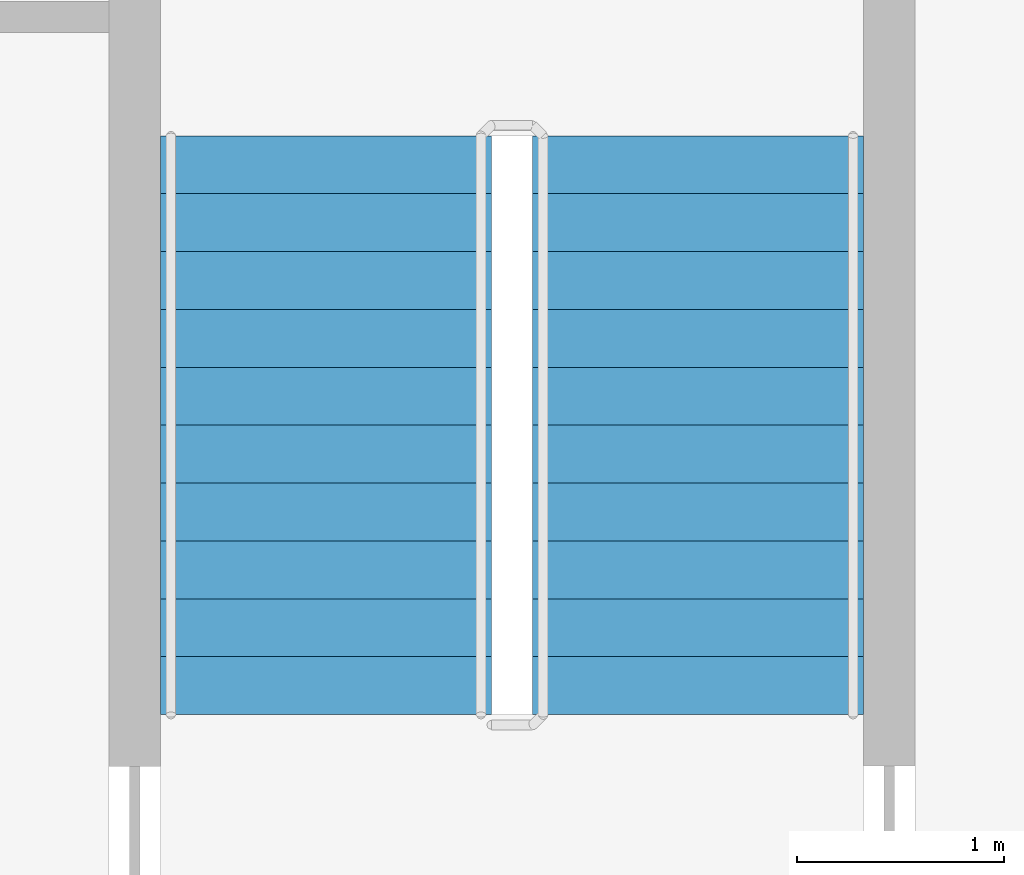
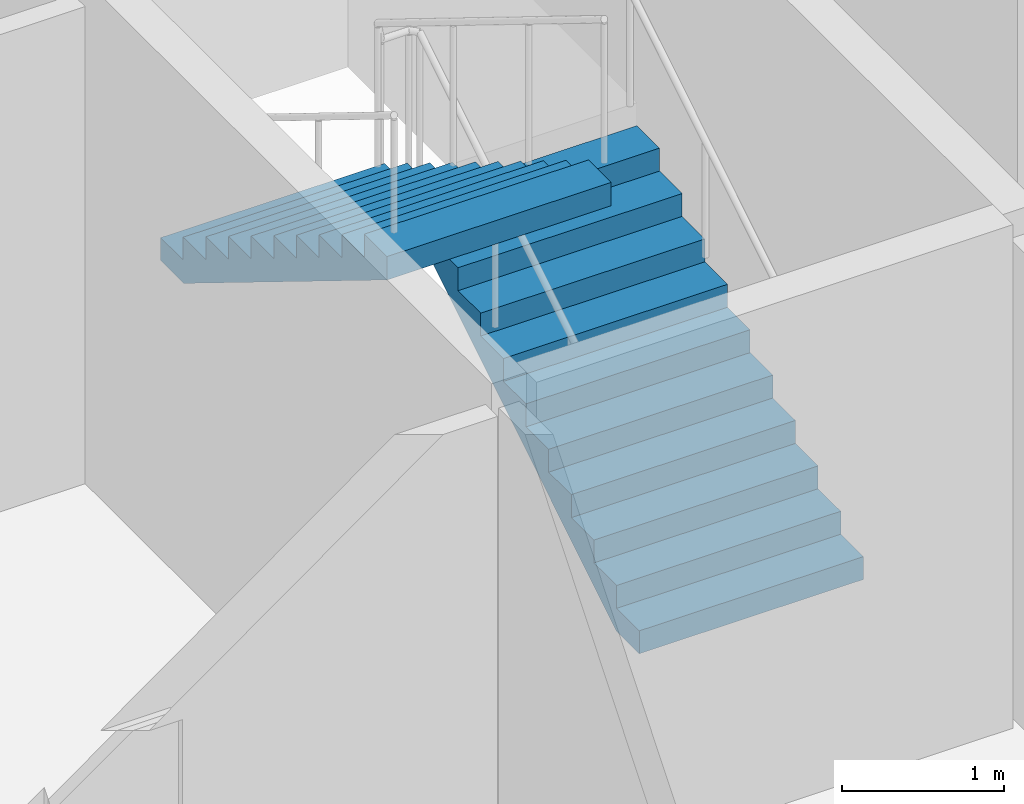
# One storey, part 11 of 12: 2 stair flights, 1 element without a shape of its own.
"""IFC4 building model written with IfcOpenShell, lengths in metres."""

from ifc_helpers import new_model, si_unit, direction, frame, origin, place, context, subcontext, project, spatial, polyline, outline, extrude, material, type_object, element, aggregate, save


model = new_model("IFC4")

# Units and contexts
model_context = context("Model", 3, precision=1e-05, world=origin(), true_north=direction((0.0, 1.0)))
body_context = subcontext(model_context, "Body", "Model", "MODEL_VIEW")
ifc_project = project(units=[si_unit("LENGTHUNIT", "METRE"), si_unit("AREAUNIT", "SQUARE_METRE"), si_unit("VOLUMEUNIT", "CUBIC_METRE"), si_unit("PLANEANGLEUNIT", "RADIAN"), si_unit("MASSUNIT", "GRAM", prefix="KILO")], contexts=[model_context])

# Site, building, storey
site_placement = place(None, origin())
site = spatial("IfcSite", under=ifc_project, at=site_placement, CompositionType="ELEMENT")
building_placement = place(site_placement, origin())
building = spatial("IfcBuilding", under=site, at=building_placement, Name="Tessera Gate Towers", CompositionType="ELEMENT")
storey_placement = place(building_placement, frame((0.0, 0.0, 143.0)))
storey = spatial("IfcBuildingStorey", under=building, at=storey_placement, Name="L35", CompositionType="ELEMENT", Elevation=143.0)

# Stair, stair flights
ifc_material_1 = material(Name="Concrete C40/50", Category="concrete")
stair_type = type_object("IfcStairType", Name="EXIT STAIR ST2 1600", PredefinedType="HALF_TURN_STAIR", material=ifc_material_1)
stair_placement = place(storey_placement, origin())
stair = element("IfcStair", 1, at=stair_placement, inside=storey, type_object=stair_type, Name="L35 Protected Exit Stair ST2", PredefinedType="HALF_TURN_STAIR")
ifc_material_2 = material(Name="Concrete C40/50", Category="concrete")
stair_flight_type = type_object("IfcStairFlightType", Name="EXIT STAIR FLIGHT ST2 1600", PredefinedType="STRAIGHT", material=ifc_material_2)
stair_flight_1_placement = place(storey_placement, frame((51.074951171875, 41.52490234375, 0.0), z_axis=(0.0, 0.0, 1.0), x_axis=(0.0, 1.0, 0.0)))
stair_flight_1 = element("IfcStairFlight", 2, at=stair_flight_1_placement, type_object=stair_flight_type, Name="ST2 flight 1", NumberOfRisers=11, NumberOfTreads=10, PredefinedType="STRAIGHT", RiserHeight=0.172727273, TreadLength=0.28, context=body_context, shape_type="SweptSolid", body=[
    extrude(outline(polyline([(0.0, 0.0), (0.0, 0.172607421875), (0.280029296875, 0.172607421875), (0.280029296875, 0.345458984375), (0.56005859375, 0.345458984375), (0.56005859375, 0.51806640625), (0.840087890625, 0.51806640625), (0.840087890625, 0.69091796875), (1.1201171875, 0.69091796875), (1.1201171875, 0.863525390625), (1.39990234375, 0.863525390625), (1.39990234375, 1.036376953125), (1.679931640625, 1.036376953125), (1.679931640625, 1.208984375), (1.9599609375, 1.208984375), (1.9599609375, 1.3818359375), (2.239990234375, 1.3818359375), (2.239990234375, 1.554443359375), (2.52001953125, 1.554443359375), (2.52001953125, 1.727294921875), (2.800048828125, 1.727294921875), (2.800048828125, 1.89990234375), (2.800048828125, 1.551025390625), (0.285400390625, 0.0), (0.0, 0.0)])), frame((0.0, 0.800048828125, 0.0), z_axis=(0.0, -1.0, 0.0), x_axis=(1.0, 0.0, 0.0)), (0.0, 0.0, 1.0), 1.60009765625),
])
stair_flight_2_placement = place(storey_placement, frame((49.27490234375, 44.324951171875, 1.89990234375), z_axis=(0.0, 0.0, 1.0), x_axis=(0.0, -1.0, 0.0)))
stair_flight_2 = element("IfcStairFlight", 3, at=stair_flight_2_placement, type_object=stair_flight_type, Name="ST2 flight 2", NumberOfRisers=11, NumberOfTreads=10, PredefinedType="STRAIGHT", RiserHeight=0.172727273, TreadLength=0.28, context=body_context, shape_type="SweptSolid", body=[
    extrude(outline(polyline([(0.0, 0.0), (0.0, 0.172607421875), (0.280029296875, 0.172607421875), (0.280029296875, 0.345458984375), (0.56005859375, 0.345458984375), (0.56005859375, 0.51806640625), (0.840087890625, 0.51806640625), (0.840087890625, 0.69091796875), (1.1201171875, 0.69091796875), (1.1201171875, 0.863525390625), (1.39990234375, 0.863525390625), (1.39990234375, 1.036376953125), (1.679931640625, 1.036376953125), (1.679931640625, 1.208984375), (1.9599609375, 1.208984375), (1.9599609375, 1.3818359375), (2.239990234375, 1.3818359375), (2.239990234375, 1.554443359375), (2.52001953125, 1.554443359375), (2.52001953125, 1.727294921875), (2.800048828125, 1.727294921875), (2.800048828125, 1.89990234375), (2.800048828125, 1.551025390625), (0.285400390625, 0.0), (0.0, 0.0)])), frame((0.0, 0.800048828125, 0.0), z_axis=(0.0, -1.0, 0.0), x_axis=(1.0, 0.0, 0.0)), (0.0, 0.0, 1.0), 1.60009765625),
])
aggregate(stair, [stair_flight_1, stair_flight_2])

save(model, "model.ifc")
